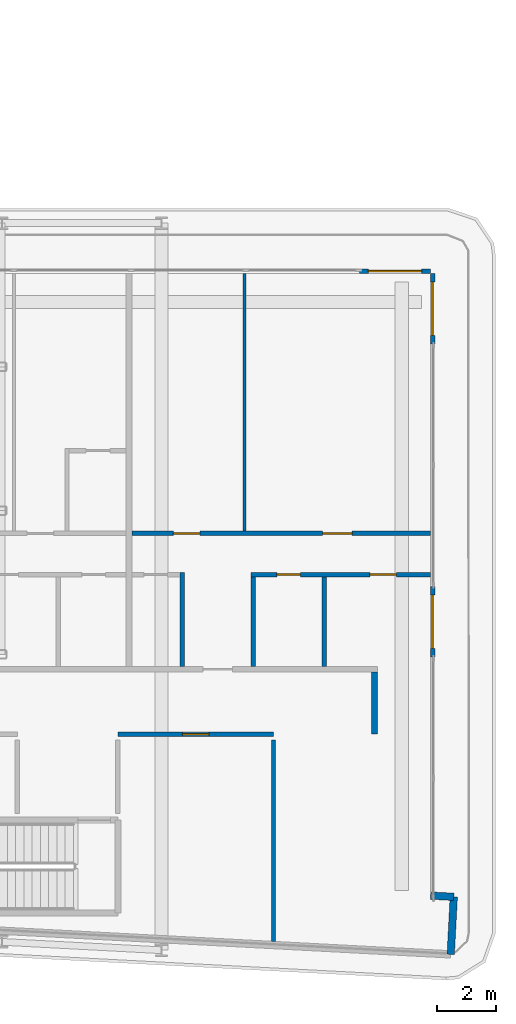
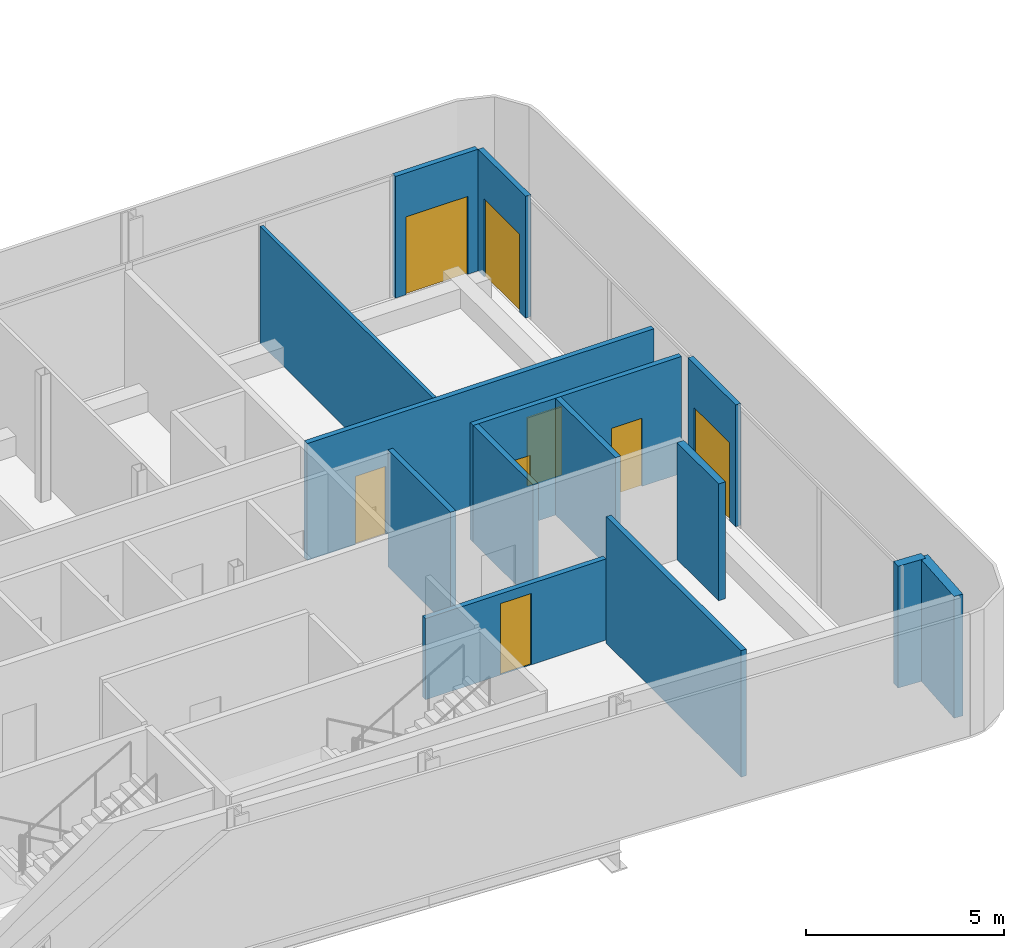
# One storey, part 20 of 29: 14 walls, 8 doors, 8 openings.
"""IFC4 building model written with IfcOpenShell, lengths in metres."""

from ifc_helpers import new_model, si_unit, direction, frame, frame_2d, origin, place, context, subcontext, project, spatial, rectangle, extrude, source, transform, mapped, material, layer, layer_set, type_object, element, fill, save


model = new_model("IFC4")

# Units and contexts
model_context = context("Model", 3, precision=1e-05, world=origin(), true_north=direction((0.0, 1.0)))
body_context = subcontext(model_context, "Body", "Model", "MODEL_VIEW")
ifc_project = project(units=[si_unit("LENGTHUNIT", "METRE"), si_unit("AREAUNIT", "SQUARE_METRE"), si_unit("VOLUMEUNIT", "CUBIC_METRE"), si_unit("PLANEANGLEUNIT", "RADIAN"), si_unit("MASSUNIT", "GRAM", prefix="KILO")], contexts=[model_context])

# Site, building, storey
site_placement = place(None, origin())
site = spatial("IfcSite", under=ifc_project, at=site_placement, CompositionType="ELEMENT")
building_placement = place(site_placement, origin())
building = spatial("IfcBuilding", under=site, at=building_placement, Name="Kheshtan School and Residences Tower", CompositionType="ELEMENT")
storey_placement = place(building_placement, frame((0.0, 0.0, 179.89990234375)))
storey = spatial("IfcBuildingStorey", under=building, at=storey_placement, Name="L42", CompositionType="ELEMENT", Elevation=179.89990234375)

# Walls
ifc_material_1 = material(Name="Gypsum board on steel studs with fire boards", Category="steel")
ifc_layer_1 = layer(ifc_material_1, 0.199951171875)
ifc_layer_set_1 = layer_set([ifc_layer_1], Name="Corridor wall 200")
wall_type_1 = type_object("IfcWallType", Name="Corridor wall 200", PredefinedType="PARTITIONING", material=ifc_layer_set_1)
wall_1_placement = place(storey_placement, frame((98.0, 28.300048828125, 0.0), z_axis=(0.0, 0.0, 1.0), x_axis=(0.0, 1.0, 0.0)))
element("IfcWall", 1, at=wall_1_placement, inside=storey, type_object=wall_type_1, Name="Partition L42-071", PredefinedType="PARTITIONING", context=body_context, shape_type="SweptSolid", body=[
    extrude(rectangle(XDim=2.099853515625, YDim=0.199951171875, at=frame_2d((1.0498046875, 0.0))), origin(), (0.0, 0.0, 1.0), 3.60009765625),
])
ifc_material_2 = material(Name="Concrete C40/50 with ceramic cladding and mineral wool insulation", Category="concrete")
ifc_layer_2 = layer(ifc_material_2, 0.25)
ifc_layer_set_2 = layer_set([ifc_layer_2], Name="External wall 250 ceramic clad")
wall_type_2 = type_object("IfcWallType", Name="External wall 250 ceramic clad", PredefinedType="SOLIDWALL", material=ifc_layer_set_2)
wall_2_placement = place(storey_placement, frame((99.906982421875, 22.839111328125, 0.0), z_axis=(0.0, 0.0, 1.0), x_axis=(0.998561284263, -0.053622398031, 0.0)))
element("IfcWall", 2, at=wall_2_placement, inside=storey, type_object=wall_type_2, Name="External wall L42 14", PredefinedType="SOLIDWALL", context=body_context, shape_type="SweptSolid", body=[
    extrude(rectangle(XDim=0.783203125, YDim=0.25, at=frame_2d((0.3916015625, 0.0))), origin(), (0.0, 0.0, 1.0), 3.75),
])
wall_3_placement = place(storey_placement, frame((100.68896484375, 22.797119140625, 0.0), z_axis=(0.0, 0.0, 1.0), x_axis=(-0.052841433274, -0.998602915542, 0.0)))
element("IfcWall", 3, at=wall_3_placement, inside=storey, type_object=wall_type_2, Name="External wall L42 15", PredefinedType="SOLIDWALL", context=body_context, shape_type="SweptSolid", body=[
    extrude(rectangle(XDim=1.94970703125, YDim=0.25, at=frame_2d((0.974853515625, 0.0))), origin(), (0.0, 0.0, 1.0), 3.75),
])

# Wall, opening, door
ifc_material_3 = material(Name="Aluminium frame wall with insulated infill", Category="aluminium")
ifc_layer_3 = layer(ifc_material_3, 0.14990234375)
ifc_layer_set_3 = layer_set([ifc_layer_3], Name="Glazing frame wall 150")
wall_type_3 = type_object("IfcWallType", Name="Glazing frame wall 150", PredefinedType="SOLIDWALL", material=ifc_layer_set_3)
wall_4_placement = place(storey_placement, frame((97.5, 43.97509765625, 0.0), z_axis=(0.0, 0.0, 1.0), x_axis=(1.0, 0.0, 0.0)))
wall_4 = element("IfcWall", 4, at=wall_4_placement, inside=storey, type_object=wall_type_3, Name="Balcony door wall L42 12.5", PredefinedType="SOLIDWALL", context=body_context, shape_type="SweptSolid", body=[
    extrude(rectangle(XDim=2.39990234375, YDim=0.14990234375, at=frame_2d((1.199951171875, 0.0))), origin(), (0.0, 0.0, 1.0), 3.75),
])
opening_1_placement = place(wall_4_placement, frame((0.300048828125, 0.0, 0.0)))
opening_1 = element("IfcOpeningElement", 5, at=opening_1_placement, cuts=wall_4, Name="Opening BD", PredefinedType="OPENING", context=body_context, shape_type="SweptSolid", body=[
    extrude(rectangle(XDim=1.800048828125, YDim=2.39990234375, at=frame_2d((0.89990234375, 1.199951171875))), frame((0.0, 0.0849609375, 0.0), z_axis=(0.0, -1.0, 0.0), x_axis=(1.0, 0.0, 0.0)), (0.0, 0.0, 1.0), 0.169921875),
])
ifc_material_4 = material(Name="Clear low-e glass in thermally broken aluminium frame", Category="aluminium")
door_type_1 = type_object("IfcDoorType", Name="Balcony sliding door", OperationType="SLIDING_TO_LEFT", PredefinedType="DOOR", material=ifc_material_4)
shared_shape_1 = source(origin(), body_context, "Body", "SweptSolid", [
    extrude(rectangle(XDim=1.800048828125, YDim=2.39990234375, at=frame_2d((0.89990234375, 1.199951171875))), frame((0.0, 0.02490234375, 0.0), z_axis=(0.0, -1.0, 0.0), x_axis=(1.0, 0.0, 0.0)), (0.0, 0.0, 1.0), 0.050048828125),
])
door_1_placement = place(opening_1_placement, origin())
door_1 = element("IfcDoor", 6, at=door_1_placement, inside=storey, type_object=door_type_1, Name="Balcony door L42 12.5", OperationType="SLIDING_TO_LEFT", OverallHeight=2.39990234375, OverallWidth=1.800048828125, PredefinedType="DOOR", context=body_context, shape_type="MappedRepresentation", body=[
    mapped(shared_shape_1, transform((0.0, 0.0, 0.0), x_axis=(1.0, 0.0, 0.0), y_axis=(0.0, 1.0, 0.0), z_axis=(0.0, 0.0, 1.0), scale=1.0)),
])
fill(opening_1, door_1)

wall_5_placement = place(storey_placement, frame((99.97509765625, 43.89990234375, 0.0), z_axis=(0.0, 0.0, 1.0), x_axis=(0.0, -1.0, 0.0)))
wall_5 = element("IfcWall", 7, at=wall_5_placement, inside=storey, type_object=wall_type_3, Name="Balcony door wall L42 13.1", PredefinedType="SOLIDWALL", context=body_context, shape_type="SweptSolid", body=[
    extrude(rectangle(XDim=2.39990234375, YDim=0.14990234375, at=frame_2d((1.199951171875, 0.0))), origin(), (0.0, 0.0, 1.0), 3.75),
])
opening_2_placement = place(wall_5_placement, frame((0.300048828125, 0.0, 0.0)))
opening_2 = element("IfcOpeningElement", 8, at=opening_2_placement, cuts=wall_5, Name="Opening BD", PredefinedType="OPENING", context=body_context, shape_type="SweptSolid", body=[
    extrude(rectangle(XDim=1.800048828125, YDim=2.39990234375, at=frame_2d((0.89990234375, 1.199951171875))), frame((0.0, 0.0849609375, 0.0), z_axis=(0.0, -1.0, 0.0), x_axis=(1.0, 0.0, 0.0)), (0.0, 0.0, 1.0), 0.169921875),
])
door_2_placement = place(opening_2_placement, origin())
door_2 = element("IfcDoor", 9, at=door_2_placement, inside=storey, type_object=door_type_1, Name="Balcony door L42 13.1", OperationType="SLIDING_TO_LEFT", OverallHeight=2.39990234375, OverallWidth=1.800048828125, PredefinedType="DOOR", context=body_context, shape_type="MappedRepresentation", body=[
    mapped(shared_shape_1, transform((0.0, 0.0, 0.0), x_axis=(1.0, 0.0, 0.0), y_axis=(0.0, 1.0, 0.0), z_axis=(0.0, 0.0, 1.0), scale=1.0)),
])
fill(opening_2, door_2)

wall_6_placement = place(storey_placement, frame((99.97509765625, 33.306884765625, 0.0), z_axis=(0.0, 0.0, 1.0), x_axis=(0.0, -1.0, 0.0)))
wall_6 = element("IfcWall", 10, at=wall_6_placement, inside=storey, type_object=wall_type_3, Name="Balcony door wall L42 13.2", PredefinedType="SOLIDWALL", context=body_context, shape_type="SweptSolid", body=[
    extrude(rectangle(XDim=2.39990234375, YDim=0.14990234375, at=frame_2d((1.199951171875, 0.0))), origin(), (0.0, 0.0, 1.0), 3.75),
])
opening_3_placement = place(wall_6_placement, frame((0.300048828125, 0.0, 0.0)))
opening_3 = element("IfcOpeningElement", 11, at=opening_3_placement, cuts=wall_6, Name="Opening BD", PredefinedType="OPENING", context=body_context, shape_type="SweptSolid", body=[
    extrude(rectangle(XDim=1.800048828125, YDim=2.39990234375, at=frame_2d((0.89990234375, 1.199951171875))), frame((0.0, 0.0849609375, 0.0), z_axis=(0.0, -1.0, 0.0), x_axis=(1.0, 0.0, 0.0)), (0.0, 0.0, 1.0), 0.169921875),
])
door_3_placement = place(opening_3_placement, origin())
door_3 = element("IfcDoor", 12, at=door_3_placement, inside=storey, type_object=door_type_1, Name="Balcony door L42 13.2", OperationType="SLIDING_TO_LEFT", OverallHeight=2.39990234375, OverallWidth=1.800048828125, PredefinedType="DOOR", context=body_context, shape_type="MappedRepresentation", body=[
    mapped(shared_shape_1, transform((0.0, 0.0, 0.0), x_axis=(1.0, 0.0, 0.0), y_axis=(0.0, 1.0, 0.0), z_axis=(0.0, 0.0, 1.0), scale=1.0)),
])
fill(opening_3, door_3)

# Wall
ifc_material_5 = material(Name="Gypsum board on steel studs", Category="steel")
ifc_layer_4 = layer(ifc_material_5, 0.10009765625)
ifc_layer_set_4 = layer_set([ifc_layer_4], Name="Gypsum partition 100")
wall_type_4 = type_object("IfcWallType", Name="Gypsum partition 100", PredefinedType="PARTITIONING", material=ifc_layer_set_4)
wall_7_placement = place(storey_placement, frame((93.60009765625, 35.175048828125, 0.0), z_axis=(0.0, 0.0, 1.0), x_axis=(0.0, 1.0, 0.0)))
element("IfcWall", 13, at=wall_7_placement, inside=storey, type_object=wall_type_4, Name="Partition L42-067", PredefinedType="PARTITIONING", context=body_context, shape_type="SweptSolid", body=[
    extrude(rectangle(XDim=8.724853515625, YDim=0.10009765625, at=frame_2d((4.3623046875, 0.0))), origin(), (0.0, 0.0, 1.0), 3.60009765625),
])

# Wall, opening, door
ifc_material_6 = material(Name="Fire-board shaft wall system")
ifc_layer_5 = layer(ifc_material_6, 0.14990234375)
ifc_layer_set_5 = layer_set([ifc_layer_5], Name="Service room wall 150")
wall_type_5 = type_object("IfcWallType", Name="Service room wall 150", PredefinedType="PARTITIONING", material=ifc_layer_set_5)
wall_8_placement = place(storey_placement, frame((89.320068359375, 28.300048828125, 0.0), z_axis=(0.0, 0.0, 1.0), x_axis=(1.0, 0.0, 0.0)))
wall_8 = element("IfcWall", 14, at=wall_8_placement, inside=storey, type_object=wall_type_5, Name="Service room wall", PredefinedType="PARTITIONING", context=body_context, shape_type="SweptSolid", body=[
    extrude(rectangle(XDim=5.266845703125, YDim=0.14990234375, at=frame_2d((2.63330078125, 0.0))), origin(), (0.0, 0.0, 1.0), 2.5),
])
opening_4_placement = place(wall_8_placement, frame((2.18408203125, 0.0, 0.0)))
opening_4 = element("IfcOpeningElement", 15, at=opening_4_placement, cuts=wall_8, Name="Opening SR90", PredefinedType="OPENING", context=body_context, shape_type="SweptSolid", body=[
    extrude(rectangle(XDim=0.89990234375, YDim=2.199951171875, at=frame_2d((0.449951171875, 1.10009765625))), frame((0.0, 0.0849609375, 0.0), z_axis=(0.0, -1.0, 0.0), x_axis=(1.0, 0.0, 0.0)), (0.0, 0.0, 1.0), 0.169921875),
])
ifc_material_7 = material(Name="Steel door leaf, galvanised", Category="steel")
door_type_2 = type_object("IfcDoorType", Name="Service room door 900 steel 90 min", OperationType="SINGLE_SWING_LEFT", PredefinedType="DOOR", material=ifc_material_7)
shared_shape_2 = source(origin(), body_context, "Body", "SweptSolid", [
    extrude(rectangle(XDim=0.89990234375, YDim=2.199951171875, at=frame_2d((0.449951171875, 1.10009765625))), frame((0.0, 0.02490234375, 0.0), z_axis=(0.0, -1.0, 0.0), x_axis=(1.0, 0.0, 0.0)), (0.0, 0.0, 1.0), 0.050048828125),
])
door_4_placement = place(opening_4_placement, origin())
door_4 = element("IfcDoor", 16, at=door_4_placement, inside=storey, type_object=door_type_2, Name="Service room door", OperationType="SINGLE_SWING_LEFT", OverallHeight=2.199951171875, OverallWidth=0.89990234375, PredefinedType="DOOR", context=body_context, shape_type="MappedRepresentation", body=[
    mapped(shared_shape_2, transform((0.0, 0.0, 0.0), x_axis=(1.0, 0.0, 0.0), y_axis=(0.0, 1.0, 0.0), z_axis=(0.0, 0.0, 1.0), scale=1.0)),
])
fill(opening_4, door_4)

# Wall
wall_9_placement = place(storey_placement, frame((94.5869140625, 21.29296875, 0.0), z_axis=(0.0, 0.0, 1.0), x_axis=(0.0, 1.0, 0.0)))
element("IfcWall", 17, at=wall_9_placement, inside=storey, type_object=wall_type_5, Name="Service room wall", PredefinedType="PARTITIONING", context=body_context, shape_type="SweptSolid", body=[
    extrude(rectangle(XDim=6.81201171875, YDim=0.14990234375, at=frame_2d((3.406005859375, 0.0))), origin(), (0.0, 0.0, 1.0), 3.900146484375),
])

# Wall, openings, doors
ifc_material_8 = material(Name="Moisture-resistant gypsum board on steel studs", Category="steel")
ifc_layer_6 = layer(ifc_material_8, 0.14990234375)
ifc_layer_set_6 = layer_set([ifc_layer_6], Name="Wet-room partition 150")
wall_type_6 = type_object("IfcWallType", Name="Wet-room partition 150", PredefinedType="PARTITIONING", material=ifc_layer_set_6)
wall_10_placement = place(storey_placement, frame((89.800048828125, 35.10009765625, 0.0), z_axis=(0.0, 0.0, 1.0), x_axis=(1.0, 0.0, 0.0)))
wall_10 = element("IfcWall", 18, at=wall_10_placement, inside=storey, type_object=wall_type_6, Name="Partition L42-065", PredefinedType="PARTITIONING", context=body_context, shape_type="SweptSolid", body=[
    extrude(rectangle(XDim=10.099853515625, YDim=0.14990234375, at=frame_2d((5.0498046875, 0.0))), origin(), (0.0, 0.0, 1.0), 3.60009765625),
])
opening_5_placement = place(wall_10_placement, frame((1.39990234375, 0.0, 0.0)))
opening_5 = element("IfcOpeningElement", 19, at=opening_5_placement, cuts=wall_10, Name="Opening D41-026", PredefinedType="OPENING", context=body_context, shape_type="SweptSolid", body=[
    extrude(rectangle(XDim=0.89990234375, YDim=2.10009765625, at=frame_2d((0.449951171875, 1.050048828125))), frame((0.0, 0.0849609375, 0.0), z_axis=(0.0, -1.0, 0.0), x_axis=(1.0, 0.0, 0.0)), (0.0, 0.0, 1.0), 0.169921875),
])
opening_6_placement = place(wall_10_placement, frame((6.449951171875, 0.0, 0.0)))
opening_6 = element("IfcOpeningElement", 20, at=opening_6_placement, cuts=wall_10, Name="Opening D41-029", PredefinedType="OPENING", context=body_context, shape_type="SweptSolid", body=[
    extrude(rectangle(XDim=1.0, YDim=2.10009765625, at=frame_2d((0.5, 1.050048828125))), frame((0.0, 0.0849609375, 0.0), z_axis=(0.0, -1.0, 0.0), x_axis=(1.0, 0.0, 0.0)), (0.0, 0.0, 1.0), 0.169921875),
])
ifc_material_9 = material(Name="Veneered timber door leaf", Category="wood")
door_type_3 = type_object("IfcDoorType", Name="Door 1000 x 2100", OperationType="SINGLE_SWING_LEFT", PredefinedType="DOOR", material=ifc_material_9)
shared_shape_3 = source(origin(), body_context, "Body", "SweptSolid", [
    extrude(rectangle(XDim=1.0, YDim=2.10009765625, at=frame_2d((0.5, 1.050048828125))), frame((0.0, 0.02490234375, 0.0), z_axis=(0.0, -1.0, 0.0), x_axis=(1.0, 0.0, 0.0)), (0.0, 0.0, 1.0), 0.050048828125),
])
door_5_placement = place(opening_6_placement, origin())
door_5 = element("IfcDoor", 21, at=door_5_placement, inside=storey, type_object=door_type_3, Name="Door D41-029", OperationType="SINGLE_SWING_LEFT", OverallHeight=2.10009765625, OverallWidth=1.0, PredefinedType="DOOR", context=body_context, shape_type="MappedRepresentation", body=[
    mapped(shared_shape_3, transform((0.0, 0.0, 0.0), x_axis=(1.0, 0.0, 0.0), y_axis=(0.0, 1.0, 0.0), z_axis=(0.0, 0.0, 1.0), scale=1.0)),
])
fill(opening_6, door_5)
door_type_4 = type_object("IfcDoorType", Name="Door 900 x 2100", OperationType="SINGLE_SWING_LEFT", PredefinedType="DOOR", material=ifc_material_9)
shared_shape_4 = source(origin(), body_context, "Body", "SweptSolid", [
    extrude(rectangle(XDim=0.89990234375, YDim=2.10009765625, at=frame_2d((0.449951171875, 1.050048828125))), frame((0.0, 0.02490234375, 0.0), z_axis=(0.0, -1.0, 0.0), x_axis=(1.0, 0.0, 0.0)), (0.0, 0.0, 1.0), 0.050048828125),
])
door_6_placement = place(opening_5_placement, origin())
door_6 = element("IfcDoor", 22, at=door_6_placement, inside=storey, type_object=door_type_4, Name="Door D41-026", OperationType="SINGLE_SWING_RIGHT", OverallHeight=2.10009765625, OverallWidth=0.89990234375, PredefinedType="DOOR", context=body_context, shape_type="MappedRepresentation", body=[
    mapped(shared_shape_4, transform((0.0, 0.0, 0.0), x_axis=(1.0, 0.0, 0.0), y_axis=(0.0, 1.0, 0.0), z_axis=(0.0, 0.0, 1.0), scale=1.0)),
])
fill(opening_5, door_6)

# Wall
wall_11_placement = place(storey_placement, frame((91.5, 30.60009765625, 0.0), z_axis=(0.0, 0.0, 1.0), x_axis=(0.0, 1.0, 0.0)))
element("IfcWall", 23, at=wall_11_placement, inside=storey, type_object=wall_type_6, Name="Partition L42-066", PredefinedType="PARTITIONING", context=body_context, shape_type="SweptSolid", body=[
    extrude(rectangle(XDim=3.1748046875, YDim=0.14990234375, at=frame_2d((1.58740234375, 0.0))), origin(), (0.0, 0.0, 1.0), 3.60009765625),
])

# Wall, openings, doors
wall_12_placement = place(storey_placement, frame((93.824951171875, 33.699951171875, 0.0), z_axis=(0.0, 0.0, 1.0), x_axis=(1.0, 0.0, 0.0)))
wall_12 = element("IfcWall", 24, at=wall_12_placement, inside=storey, type_object=wall_type_6, Name="Partition L42-068", PredefinedType="PARTITIONING", context=body_context, shape_type="SweptSolid", body=[
    extrude(rectangle(XDim=6.074951171875, YDim=0.14990234375, at=frame_2d((3.03759765625, 0.0))), origin(), (0.0, 0.0, 1.0), 3.60009765625),
])
opening_7_placement = place(wall_12_placement, frame((0.875, 0.0, 0.0)))
opening_7 = element("IfcOpeningElement", 25, at=opening_7_placement, cuts=wall_12, Name="Opening D41-025", PredefinedType="OPENING", context=body_context, shape_type="SweptSolid", body=[
    extrude(rectangle(XDim=0.800048828125, YDim=2.10009765625, at=frame_2d((0.39990234375, 1.050048828125))), frame((0.0, 0.0849609375, 0.0), z_axis=(0.0, -1.0, 0.0), x_axis=(1.0, 0.0, 0.0)), (0.0, 0.0, 1.0), 0.169921875),
])
opening_8_placement = place(wall_12_placement, frame((4.02490234375, 0.0, 0.0)))
opening_8 = element("IfcOpeningElement", 26, at=opening_8_placement, cuts=wall_12, Name="Opening D41-028", PredefinedType="OPENING", context=body_context, shape_type="SweptSolid", body=[
    extrude(rectangle(XDim=0.89990234375, YDim=2.10009765625, at=frame_2d((0.449951171875, 1.050048828125))), frame((0.0, 0.0849609375, 0.0), z_axis=(0.0, -1.0, 0.0), x_axis=(1.0, 0.0, 0.0)), (0.0, 0.0, 1.0), 0.169921875),
])
door_type_5 = type_object("IfcDoorType", Name="Door 800 x 2100", OperationType="SINGLE_SWING_LEFT", PredefinedType="DOOR", material=ifc_material_9)
shared_shape_5 = source(origin(), body_context, "Body", "SweptSolid", [
    extrude(rectangle(XDim=0.800048828125, YDim=2.10009765625, at=frame_2d((0.39990234375, 1.050048828125))), frame((0.0, 0.02490234375, 0.0), z_axis=(0.0, -1.0, 0.0), x_axis=(1.0, 0.0, 0.0)), (0.0, 0.0, 1.0), 0.050048828125),
])
door_7_placement = place(opening_7_placement, origin())
door_7 = element("IfcDoor", 27, at=door_7_placement, inside=storey, type_object=door_type_5, Name="Door D41-025", OperationType="SINGLE_SWING_RIGHT", OverallHeight=2.10009765625, OverallWidth=0.800048828125, PredefinedType="DOOR", context=body_context, shape_type="MappedRepresentation", body=[
    mapped(shared_shape_5, transform((0.0, 0.0, 0.0), x_axis=(1.0, 0.0, 0.0), y_axis=(0.0, 1.0, 0.0), z_axis=(0.0, 0.0, 1.0), scale=1.0)),
])
fill(opening_7, door_7)
door_8_placement = place(opening_8_placement, origin())
door_8 = element("IfcDoor", 28, at=door_8_placement, inside=storey, type_object=door_type_4, Name="Door D41-028", OperationType="SINGLE_SWING_LEFT", OverallHeight=2.10009765625, OverallWidth=0.89990234375, PredefinedType="DOOR", context=body_context, shape_type="MappedRepresentation", body=[
    mapped(shared_shape_4, transform((0.0, 0.0, 0.0), x_axis=(1.0, 0.0, 0.0), y_axis=(0.0, 1.0, 0.0), z_axis=(0.0, 0.0, 1.0), scale=1.0)),
])
fill(opening_8, door_8)

# Walls
for number, where, z_axis, x_axis, name in (
    (29, (93.89990234375, 30.60009765625, 0.0), (0.0, 0.0, 1.0), (0.0, 1.0, 0.0), "Partition L42-069"),
    (30, (96.300048828125, 30.60009765625, 0.0), (0.0, 0.0, 1.0), (0.0, 1.0, 0.0), "Partition L42-070"),
):
    element("IfcWall", number, at=place(storey_placement, frame(where, z_axis=z_axis, x_axis=x_axis)), inside=storey, type_object=wall_type_6, Name=name, PredefinedType="PARTITIONING", context=body_context, shape_type="SweptSolid", body=[
        extrude(rectangle(XDim=3.02490234375, YDim=0.14990234375, at=frame_2d((1.512451171875, 0.0))), origin(), (0.0, 0.0, 1.0), 3.60009765625),
    ])

save(model, "model.ifc")
